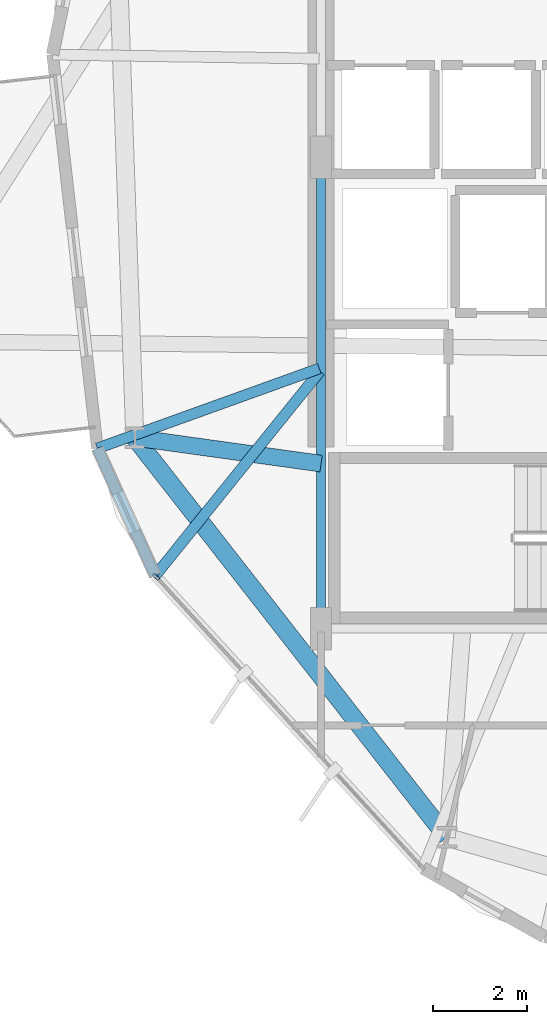
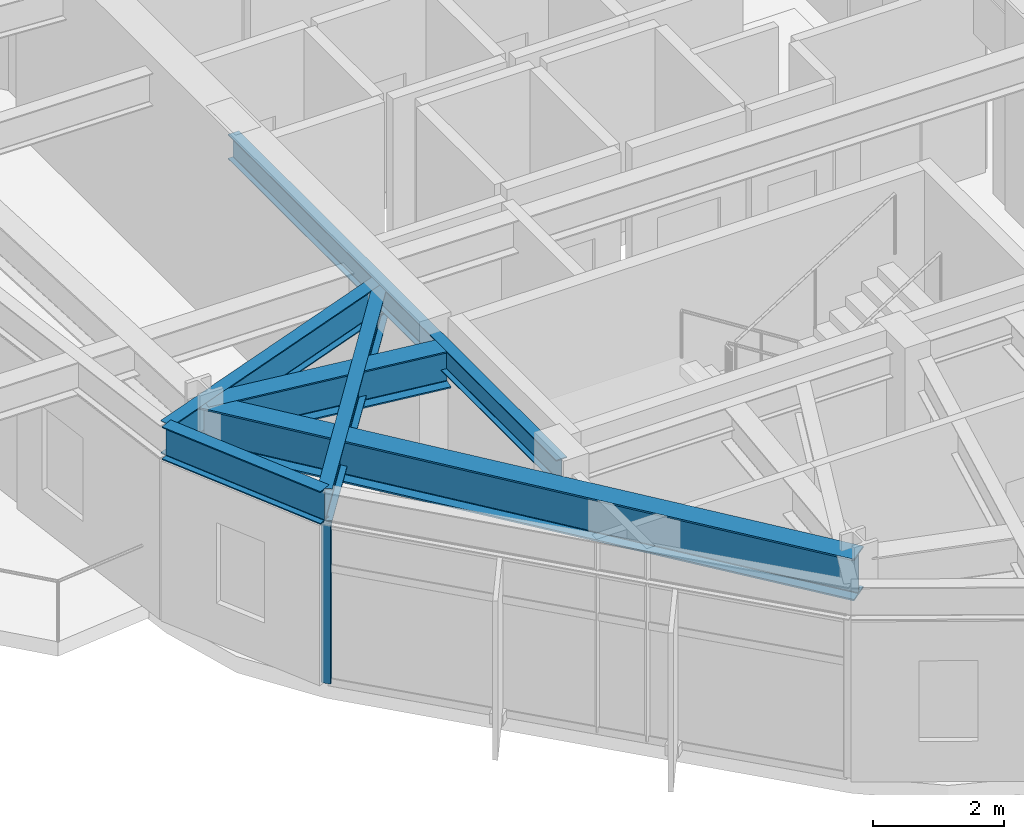
# One storey, part 3 of 23: 6 beams, 1 member, 1 element without a shape of its own.
"""IFC4 building model written with IfcOpenShell, lengths in metres."""

from ifc_helpers import new_model, si_unit, direction, frame, origin, origin_2d, place, context, subcontext, project, spatial, hollow_rectangle, i_section, extrude, material, layer, layer_set, material_profile, profile_set, type_object, element, aggregate, save


model = new_model("IFC4")

# Units and contexts
model_context = context("Model", 3, precision=1e-05, world=origin(), true_north=direction((0.0, 1.0)))
body_context = subcontext(model_context, "Body", "Model", "MODEL_VIEW")
ifc_project = project(units=[si_unit("LENGTHUNIT", "METRE"), si_unit("AREAUNIT", "SQUARE_METRE"), si_unit("VOLUMEUNIT", "CUBIC_METRE"), si_unit("PLANEANGLEUNIT", "RADIAN"), si_unit("MASSUNIT", "GRAM", prefix="KILO")], contexts=[model_context])

# Site, building, storey
site_placement = place(None, origin())
site = spatial("IfcSite", under=ifc_project, at=site_placement, CompositionType="ELEMENT")
building_placement = place(site_placement, origin())
building = spatial("IfcBuilding", under=site, at=building_placement, Name="Soratama Intermodal Tower", CompositionType="ELEMENT")
storey_placement = place(building_placement, frame((0.0, 0.0, 122.5)))
storey = spatial("IfcBuildingStorey", under=building, at=storey_placement, Name="L29", CompositionType="ELEMENT", Elevation=122.5)

# Beams
ifc_material_1 = material(Name="Structural steel ASTM A992 Grade 50", Category="steel")
ifc_material_profile_1 = material_profile(ifc_material_1, i_section(OverallWidth=0.19091796875, OverallDepth=0.4599609375, WebThickness=0.010009765625, FlangeThickness=0.01611328125, FilletRadius=0.010986328125, at=origin_2d()), Name="W18X55")
ifc_profile_set_1 = profile_set([ifc_material_profile_1], Name="Structural steel ASTM A992 Grade 50")
beam_type_1 = type_object("IfcBeamType", Name="BM-FLR-W18X55", PredefinedType="BEAM", material=ifc_profile_set_1)
beam_1_placement = place(storey_placement, frame((32.60009765625, 25.0, 3.3701171875), z_axis=(0.0, -1.0, 0.0), x_axis=(1.0, 0.0, 0.0)))
element("IfcBeam", 1, at=beam_1_placement, inside=storey, type_object=beam_type_1, Name="BM-L29-CRING-09", PredefinedType="BEAM", context=body_context, shape_type="SweptSolid", body=[
    extrude(i_section(OverallWidth=0.19091796875, OverallDepth=0.4599609375, WebThickness=0.010009765625, FlangeThickness=0.01611328125, FilletRadius=0.010986328125, at=origin_2d()), origin(), (0.0, 0.0, 1.0), 10.0),
])
ifc_material_2 = material(Name="Structural steel ASTM A992 Grade 50", Category="steel")
ifc_material_profile_2 = material_profile(ifc_material_2, i_section(OverallWidth=0.35498046875, OverallDepth=0.695068359375, WebThickness=0.015380859375, FlangeThickness=0.02490234375, FilletRadius=0.01611328125, at=origin_2d()), Name="W27X146")
ifc_profile_set_2 = profile_set([ifc_material_profile_2], Name="Structural steel ASTM A992 Grade 50")
beam_type_2 = type_object("IfcBeamType", Name="BM-RING-W27X146", PredefinedType="BEAM", material=ifc_profile_set_2)
beam_2_placement = place(storey_placement, frame((32.60009765625, 18.5, 3.25244140625), z_axis=(-0.990482077962, 0.137641756879, 0.0), x_axis=(-0.137641756879, -0.990482077962, 0.0)))
element("IfcBeam", 2, at=beam_2_placement, inside=storey, type_object=beam_type_2, Name="BM-L29-RAD-06", PredefinedType="BEAM", context=body_context, shape_type="SweptSolid", body=[
    extrude(i_section(OverallWidth=0.35498046875, OverallDepth=0.695068359375, WebThickness=0.015380859375, FlangeThickness=0.02490234375, FilletRadius=0.01611328125, at=origin_2d()), origin(), (0.0, 0.0, 1.0), 3.9892578125),
])
ifc_material_3 = material(Name="Structural steel ASTM A992 Grade 50", Category="steel")
ifc_material_profile_3 = material_profile(ifc_material_3, i_section(OverallWidth=0.382080078125, OverallDepth=0.779052734375, WebThickness=0.01806640625, FlangeThickness=0.030029296875, FilletRadius=0.01806640625, at=origin_2d()), Name="W30X191")
ifc_profile_set_3 = profile_set([ifc_material_profile_3], Name="Structural steel ASTM A992 Grade 50")
beam_type_3 = type_object("IfcBeamType", Name="BM-RING-W30X191", PredefinedType="BEAM", material=ifc_profile_set_3)
beam_3_placement = place(storey_placement, frame((28.64892578125, 19.049072265625, 3.21044921875), z_axis=(0.615683690883, -0.787993396407, 0.0), x_axis=(0.787993396407, 0.615683690883, 0.0)))
element("IfcBeam", 3, at=beam_3_placement, inside=storey, type_object=beam_type_3, Name="BM-L29-RING-06", PredefinedType="BEAM", context=body_context, shape_type="SweptSolid", body=[
    extrude(i_section(OverallWidth=0.382080078125, OverallDepth=0.779052734375, WebThickness=0.01806640625, FlangeThickness=0.030029296875, FilletRadius=0.01806640625, at=origin_2d()), origin(), (0.0, 0.0, 1.0), 10.754150390625),
])
ifc_material_4 = material(Name="Structural steel ASTM A992 Grade 50", Category="steel")
ifc_material_profile_4 = material_profile(ifc_material_4, i_section(OverallWidth=0.22900390625, OverallDepth=0.612060546875, WebThickness=0.011962890625, FlangeThickness=0.01953125, FilletRadius=0.012939453125, at=origin_2d()), Name="W24X84")
ifc_profile_set_4 = profile_set([ifc_material_profile_4], Name="Structural steel ASTM A992 Grade 50")
beam_type_4 = type_object("IfcBeamType", Name="BM-SPN-W24X84", PredefinedType="SPANDREL", material=ifc_profile_set_4)
beam_4_placement = place(storey_placement, frame((27.85302734375, 18.822998046875, 3.2939453125), z_axis=(0.414292732042, -0.910143687654, 0.0), x_axis=(0.910143687654, 0.414292732042, 0.0)))
element("IfcBeam", 4, at=beam_4_placement, inside=storey, type_object=beam_type_4, Name="BS-L29-CRN05", PredefinedType="SPANDREL", context=body_context, shape_type="SweptSolid", body=[
    extrude(i_section(OverallWidth=0.22900390625, OverallDepth=0.612060546875, WebThickness=0.011962890625, FlangeThickness=0.01953125, FilletRadius=0.012939453125, at=origin_2d()), origin(), (0.0, 0.0, 1.0), 2.966552734375),
])
ifc_material_5 = material(Name="Structural steel ASTM A992 Grade 50", Category="steel")
ifc_material_profile_5 = material_profile(ifc_material_5, i_section(OverallWidth=0.22900390625, OverallDepth=0.612060546875, WebThickness=0.011962890625, FlangeThickness=0.01953125, FilletRadius=0.012939453125, at=origin_2d()), Name="W24X84")
ifc_profile_set_5 = profile_set([ifc_material_profile_5], Name="Structural steel ASTM A992 Grade 50")
beam_type_5 = type_object("IfcBeamType", Name="BM-TIE-W24X84", PredefinedType="BEAM", material=ifc_profile_set_5)
beam_5_placement = place(storey_placement, frame((32.56201171875, 20.51904296875, 3.2939453125), z_axis=(-0.940835789916, -0.338862828315, 0.0), x_axis=(0.338862828315, -0.940835789916, 0.0)))
element("IfcBeam", 5, at=beam_5_placement, inside=storey, type_object=beam_type_5, Name="BM-L29-TIE1-05", PredefinedType="BEAM", context=body_context, shape_type="SweptSolid", body=[
    extrude(i_section(OverallWidth=0.22900390625, OverallDepth=0.612060546875, WebThickness=0.011962890625, FlangeThickness=0.01953125, FilletRadius=0.012939453125, at=origin_2d()), origin(), (0.0, 0.0, 1.0), 5.005126953125),
])
beam_6_placement = place(storey_placement, frame((32.574951171875, 20.458984375, 3.2939453125), z_axis=(-0.627338401889, -0.778746768543, 0.0), x_axis=(0.778746768543, -0.627338401889, 0.0)))
element("IfcBeam", 6, at=beam_6_placement, inside=storey, type_object=beam_type_5, Name="BM-L29-TIE0-06", PredefinedType="BEAM", context=body_context, shape_type="SweptSolid", body=[
    extrude(i_section(OverallWidth=0.22900390625, OverallDepth=0.612060546875, WebThickness=0.011962890625, FlangeThickness=0.01953125, FilletRadius=0.012939453125, at=origin_2d()), origin(), (0.0, 0.0, 1.0), 5.56787109375),
])

# Curtain wall, member
ifc_material_6 = material(Name="Double-glazed aluminium curtain wall", Category="aluminium")
ifc_layer = layer(ifc_material_6, 0.159912109375)
ifc_layer_set = layer_set([ifc_layer], Name="Double-glazed aluminium curtain wall")
curtain_wall_type = type_object("IfcCurtainWallType", Name="CW-SYS-3", PredefinedType="NOTDEFINED", material=ifc_layer_set)
curtain_wall_placement = place(storey_placement, origin())
curtain_wall = element("IfcCurtainWall", 7, at=curtain_wall_placement, inside=storey, type_object=curtain_wall_type, Name="L29 Faceted Curtain Wall F06", PredefinedType="NOTDEFINED")
ifc_material_7 = material(Name="Anodised aluminium AA 6063-T6", Category="aluminium")
ifc_material_profile_6 = material_profile(ifc_material_7, hollow_rectangle(XDim=0.070068359375, YDim=0.159912109375, WallThickness=0.0048828125, InnerFilletRadius=0.0048828125, OuterFilletRadius=0.010009765625, at=origin_2d()), Name="CWM160X70X5")
ifc_profile_set_6 = profile_set([ifc_material_profile_6], Name="Anodised aluminium AA 6063-T6")
member_type = type_object("IfcMemberType", Name="MT-CWM-3", PredefinedType="MULLION", material=ifc_profile_set_6)
member_placement = place(storey_placement, frame((29.1025390625, 16.100830078125, 0.0), z_axis=(0.0, 0.0, 1.0), x_axis=(0.737516021956, 0.675329636073, 0.0)))
member = element("IfcMember", 8, at=member_placement, type_object=member_type, Name="CW-3 mullion 1", PredefinedType="MULLION", context=body_context, shape_type="SweptSolid", body=[
    extrude(hollow_rectangle(XDim=0.070068359375, YDim=0.159912109375, WallThickness=0.0048828125, InnerFilletRadius=0.0048828125, OuterFilletRadius=0.010009765625, at=origin_2d()), origin(), (0.0, 0.0, 1.0), 2.97900390625),
])
aggregate(curtain_wall, [member])

save(model, "model.ifc")
